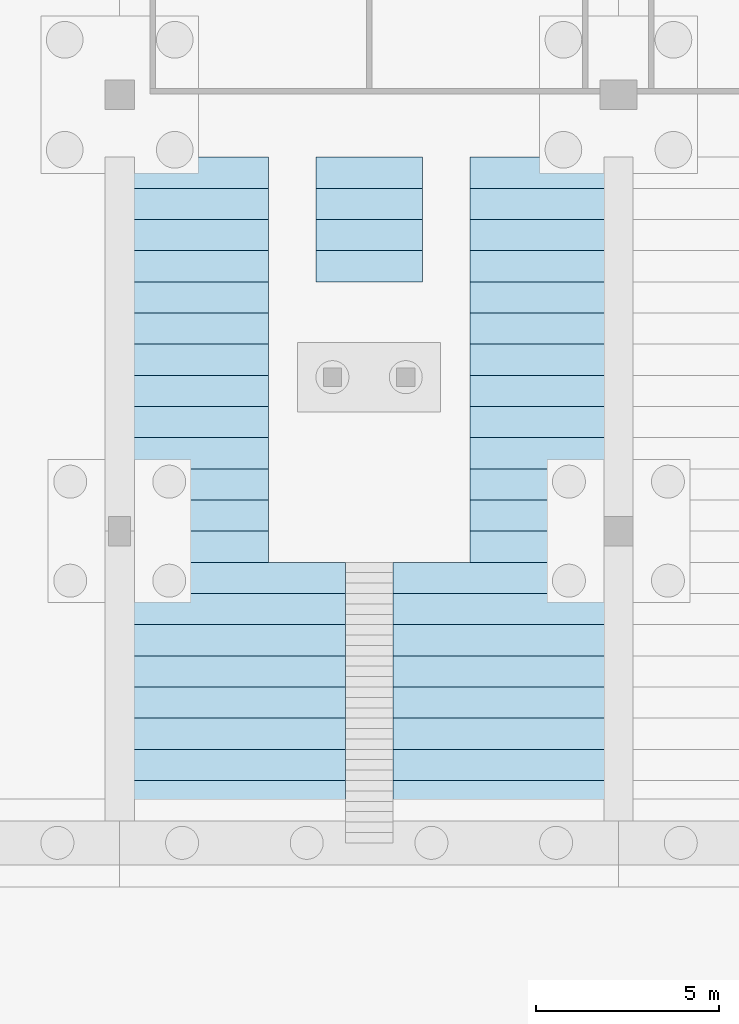
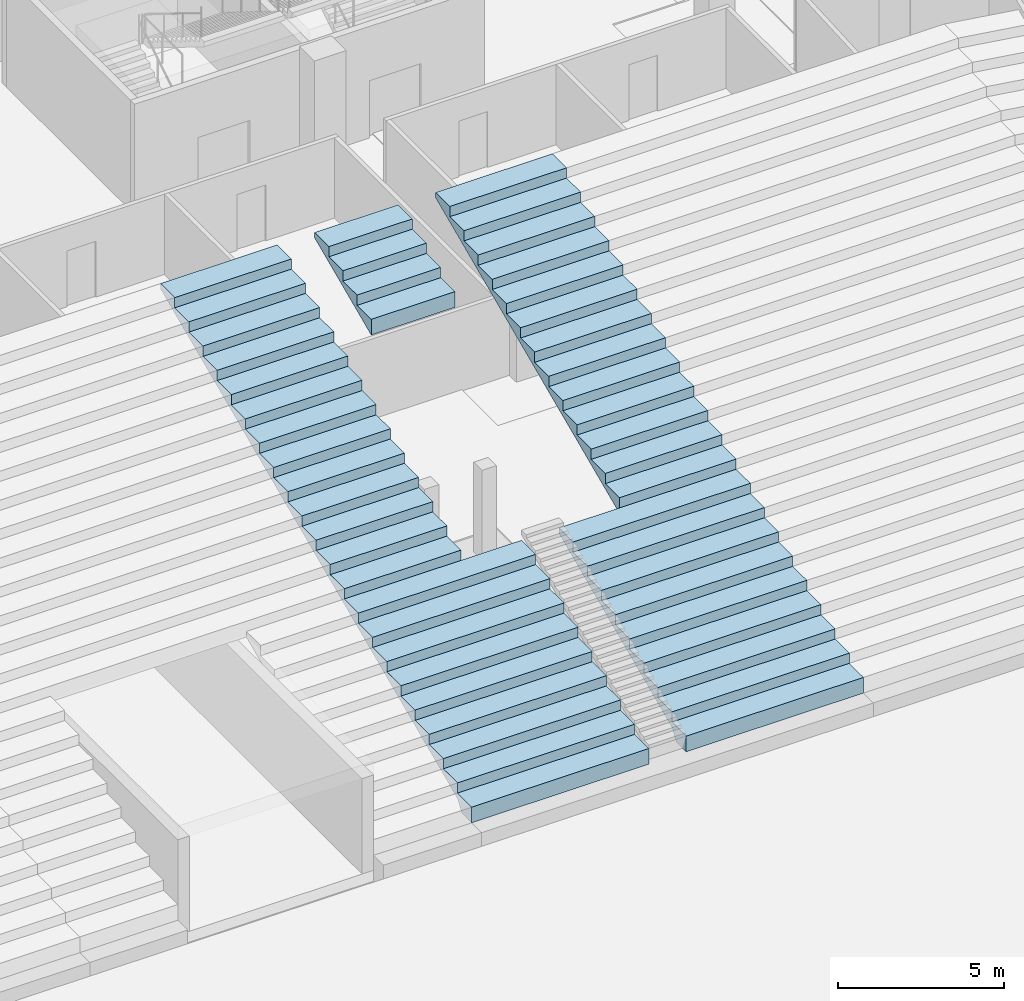
# One storey, part 57 of 115: 1 slab.
"""IFC4 building model written with IfcOpenShell, lengths in metres."""

from ifc_helpers import new_model, si_unit, direction, frame, origin, place, context, subcontext, project, spatial, faceted_brep, material, layer, layer_set, type_object, element, save


model = new_model("IFC4")

# Units and contexts
model_context = context("Model", 3, precision=1e-05, world=origin(), true_north=direction((0.0, 1.0)))
body_context = subcontext(model_context, "Body", "Model", "MODEL_VIEW")
ifc_project = project(units=[si_unit("LENGTHUNIT", "METRE"), si_unit("AREAUNIT", "SQUARE_METRE"), si_unit("VOLUMEUNIT", "CUBIC_METRE"), si_unit("PLANEANGLEUNIT", "RADIAN"), si_unit("MASSUNIT", "GRAM", prefix="KILO")], contexts=[model_context])

# Site, building, storey
site_placement = place(None, origin())
site = spatial("IfcSite", under=ifc_project, at=site_placement, CompositionType="ELEMENT")
building_placement = place(site_placement, origin())
building = spatial("IfcBuilding", under=site, at=building_placement, Name="Ogive Plaza Stadium", CompositionType="ELEMENT")
storey_placement = place(building_placement, frame((0.0, 0.0, -4.5)))
storey = spatial("IfcBuildingStorey", under=building, at=storey_placement, Name="B1", CompositionType="ELEMENT", Elevation=-4.5)

# Slab
ifc_material = material(Name="Concrete C45/55 precast", Category="concrete")
ifc_layer = layer(ifc_material, 0.574951171875)
ifc_layer_set = layer_set([ifc_layer], Name="Concrete C45/55 precast")
slab_type = type_object("IfcSlabType", Name="Seating tier LT 575", PredefinedType="USERDEFINED", material=ifc_layer_set)
slab_placement = place(storey_placement, origin())
element("IfcSlab", 1, at=slab_placement, inside=storey, type_object=slab_type, Name="Stand LT B35", ObjectType="SEATING TIER", PredefinedType="USERDEFINED", context=body_context, shape_type="Brep", body=[
    faceted_brep([(12.949951171875, 60.0, 1.125), (12.949951171875, 60.60009765625, 1.125), (6.800048828125, 60.60009765625, 1.125), (6.800048828125, 60.0, 1.125), (20.39990234375, 60.0, 1.125), (20.39990234375, 60.60009765625, 1.125), (14.25, 60.60009765625, 1.125), (14.25, 60.0, 1.125), (12.949951171875, 60.85009765625, 1.125), (6.800048828125, 60.85009765625, 1.125), (20.39990234375, 60.85009765625, 1.125), (14.25, 60.85009765625, 1.125), (12.949951171875, 60.60009765625, 0.550048828125), (6.800048828125, 60.0, 0.550048828125), (6.800048828125, 60.60009765625, 0.550048828125), (12.949951171875, 60.0, 0.550048828125), (20.39990234375, 60.60009765625, 0.550048828125), (14.25, 60.0, 0.550048828125), (14.25, 60.60009765625, 0.550048828125), (20.39990234375, 60.0, 0.550048828125), (6.800048828125, 60.85009765625, 0.925048828125), (6.800048828125, 60.85009765625, 1.5), (6.800048828125, 61.699951171875, 1.5), (6.800048828125, 61.699951171875, 1.300048828125), (6.800048828125, 61.699951171875, 1.875), (6.800048828125, 62.550048828125, 1.875), (6.800048828125, 62.550048828125, 1.675048828125), (6.800048828125, 62.550048828125, 2.25), (6.800048828125, 63.39990234375, 2.25), (6.800048828125, 63.39990234375, 2.050048828125), (6.800048828125, 63.39990234375, 2.625), (6.800048828125, 64.25, 2.625), (6.800048828125, 64.25, 2.425048828125), (6.800048828125, 64.25, 3.0), (6.800048828125, 65.10009765625, 3.0), (6.800048828125, 65.10009765625, 2.800048828125), (6.800048828125, 65.10009765625, 3.375), (6.800048828125, 65.949951171875, 3.375), (6.800048828125, 65.949951171875, 3.175048828125), (6.800048828125, 65.949951171875, 3.75), (6.800048828125, 66.800048828125, 3.75), (6.800048828125, 66.800048828125, 3.550048828125), (6.800048828125, 66.800048828125, 4.125), (6.800048828125, 67.64990234375, 4.125), (6.800048828125, 67.64990234375, 3.925048828125), (6.800048828125, 67.64990234375, 4.5), (6.800048828125, 68.5, 4.5), (6.800048828125, 68.5, 4.300048828125), (6.800048828125, 68.5, 4.875), (6.800048828125, 69.35009765625, 4.875), (6.800048828125, 69.35009765625, 4.675048828125), (6.800048828125, 69.35009765625, 5.25), (6.800048828125, 70.199951171875, 5.25), (6.800048828125, 70.199951171875, 5.050048828125), (6.800048828125, 70.199951171875, 5.625), (6.800048828125, 71.050048828125, 5.625), (6.800048828125, 71.050048828125, 5.425048828125), (6.800048828125, 71.050048828125, 6.0), (6.800048828125, 71.89990234375, 6.0), (6.800048828125, 71.89990234375, 5.800048828125), (6.800048828125, 71.89990234375, 6.375), (6.800048828125, 72.75, 6.375), (6.800048828125, 72.75, 6.175048828125), (6.800048828125, 72.75, 6.75), (6.800048828125, 73.60009765625, 6.75), (6.800048828125, 73.60009765625, 6.550048828125), (6.800048828125, 73.60009765625, 7.125), (6.800048828125, 74.449951171875, 7.125), (6.800048828125, 74.449951171875, 6.925048828125), (6.800048828125, 74.449951171875, 7.5), (6.800048828125, 75.300048828125, 7.5), (6.800048828125, 75.300048828125, 7.300048828125), (6.800048828125, 75.300048828125, 7.875), (6.800048828125, 76.14990234375, 7.875), (6.800048828125, 76.14990234375, 7.675048828125), (6.800048828125, 76.14990234375, 8.25), (6.800048828125, 77.0, 8.25), (6.800048828125, 77.0, 8.050048828125), (6.800048828125, 77.0, 8.625), (6.800048828125, 77.85009765625, 8.625), (6.800048828125, 77.85009765625, 8.425048828125), (6.800048828125, 77.85009765625, 9.0), (6.800048828125, 78.699951171875, 9.0), (6.800048828125, 78.699951171875, 8.800048828125), (12.949951171875, 60.85009765625, 0.925048828125), (12.949951171875, 61.699951171875, 1.5), (12.949951171875, 60.85009765625, 1.5), (12.949951171875, 61.699951171875, 1.300048828125), (12.949951171875, 62.550048828125, 1.875), (12.949951171875, 61.699951171875, 1.875), (12.949951171875, 62.550048828125, 1.675048828125), (12.949951171875, 63.39990234375, 2.25), (12.949951171875, 62.550048828125, 2.25), (12.949951171875, 63.39990234375, 2.050048828125), (12.949951171875, 64.25, 2.625), (12.949951171875, 63.39990234375, 2.625), (12.949951171875, 64.25, 2.425048828125), (12.949951171875, 65.10009765625, 3.0), (12.949951171875, 64.25, 3.0), (12.949951171875, 65.10009765625, 2.800048828125), (12.949951171875, 65.949951171875, 3.375), (12.949951171875, 65.10009765625, 3.375), (12.949951171875, 65.949951171875, 3.175048828125), (12.949951171875, 66.800048828125, 3.75), (12.949951171875, 65.949951171875, 3.75), (12.949951171875, 66.800048828125, 3.550048828125), (12.949951171875, 67.64990234375, 4.125), (12.949951171875, 66.800048828125, 4.125), (12.949951171875, 67.64990234375, 3.925048828125), (14.25, 60.85009765625, 0.925048828125), (14.25, 60.85009765625, 1.5), (14.25, 61.699951171875, 1.5), (14.25, 61.699951171875, 1.300048828125), (14.25, 61.699951171875, 1.875), (14.25, 62.550048828125, 1.875), (14.25, 62.550048828125, 1.675048828125), (14.25, 62.550048828125, 2.25), (14.25, 63.39990234375, 2.25), (14.25, 63.39990234375, 2.050048828125), (14.25, 63.39990234375, 2.625), (14.25, 64.25, 2.625), (14.25, 64.25, 2.425048828125), (14.25, 64.25, 3.0), (14.25, 65.10009765625, 3.0), (14.25, 65.10009765625, 2.800048828125), (14.25, 65.10009765625, 3.375), (14.25, 65.949951171875, 3.375), (14.25, 65.949951171875, 3.175048828125), (14.25, 65.949951171875, 3.75), (14.25, 66.800048828125, 3.75), (14.25, 66.800048828125, 3.550048828125), (14.25, 66.800048828125, 4.125), (14.25, 67.64990234375, 4.125), (14.25, 67.64990234375, 3.925048828125), (20.39990234375, 60.85009765625, 0.925048828125), (20.39990234375, 61.699951171875, 1.5), (20.39990234375, 60.85009765625, 1.5), (20.39990234375, 61.699951171875, 1.300048828125), (20.39990234375, 62.550048828125, 1.875), (20.39990234375, 61.699951171875, 1.875), (20.39990234375, 62.550048828125, 1.675048828125), (20.39990234375, 63.39990234375, 2.25), (20.39990234375, 62.550048828125, 2.25), (20.39990234375, 63.39990234375, 2.050048828125), (20.39990234375, 64.25, 2.625), (20.39990234375, 63.39990234375, 2.625), (20.39990234375, 64.25, 2.425048828125), (20.39990234375, 65.10009765625, 3.0), (20.39990234375, 64.25, 3.0), (20.39990234375, 65.10009765625, 2.800048828125), (20.39990234375, 65.949951171875, 3.375), (20.39990234375, 65.10009765625, 3.375), (20.39990234375, 65.949951171875, 3.175048828125), (20.39990234375, 66.800048828125, 3.75), (20.39990234375, 65.949951171875, 3.75), (20.39990234375, 66.800048828125, 3.550048828125), (20.39990234375, 67.64990234375, 4.125), (20.39990234375, 66.800048828125, 4.125), (20.39990234375, 67.64990234375, 3.925048828125), (20.39990234375, 68.5, 4.5), (20.39990234375, 67.64990234375, 4.5), (20.39990234375, 68.5, 4.300048828125), (20.39990234375, 69.35009765625, 4.875), (20.39990234375, 68.5, 4.875), (20.39990234375, 69.35009765625, 4.675048828125), (20.39990234375, 70.199951171875, 5.25), (20.39990234375, 69.35009765625, 5.25), (20.39990234375, 70.199951171875, 5.050048828125), (20.39990234375, 71.050048828125, 5.625), (20.39990234375, 70.199951171875, 5.625), (20.39990234375, 71.050048828125, 5.425048828125), (20.39990234375, 71.89990234375, 6.0), (20.39990234375, 71.050048828125, 6.0), (20.39990234375, 71.89990234375, 5.800048828125), (20.39990234375, 72.75, 6.375), (20.39990234375, 71.89990234375, 6.375), (20.39990234375, 72.75, 6.175048828125), (20.39990234375, 73.60009765625, 6.75), (20.39990234375, 72.75, 6.75), (20.39990234375, 73.60009765625, 6.550048828125), (20.39990234375, 74.449951171875, 7.125), (20.39990234375, 73.60009765625, 7.125), (20.39990234375, 74.449951171875, 6.925048828125), (20.39990234375, 75.300048828125, 7.5), (20.39990234375, 74.449951171875, 7.5), (20.39990234375, 75.300048828125, 7.300048828125), (20.39990234375, 76.14990234375, 7.875), (20.39990234375, 75.300048828125, 7.875), (20.39990234375, 76.14990234375, 7.675048828125), (20.39990234375, 77.0, 8.25), (20.39990234375, 76.14990234375, 8.25), (20.39990234375, 77.0, 8.050048828125), (20.39990234375, 77.85009765625, 8.625), (20.39990234375, 77.0, 8.625), (20.39990234375, 77.85009765625, 8.425048828125), (20.39990234375, 78.699951171875, 9.0), (20.39990234375, 77.85009765625, 9.0), (20.39990234375, 78.699951171875, 8.800048828125), (10.85009765625, 67.64990234375, 3.925048828125), (16.35009765625, 67.64990234375, 3.925048828125), (10.85009765625, 68.5, 4.300048828125), (16.35009765625, 68.5, 4.300048828125), (10.85009765625, 69.35009765625, 4.675048828125), (16.35009765625, 69.35009765625, 4.675048828125), (10.85009765625, 70.199951171875, 5.050048828125), (16.35009765625, 70.199951171875, 5.050048828125), (10.85009765625, 71.050048828125, 5.425048828125), (16.35009765625, 71.050048828125, 5.425048828125), (10.85009765625, 71.89990234375, 5.800048828125), (16.35009765625, 71.89990234375, 5.800048828125), (10.85009765625, 72.75, 6.175048828125), (16.35009765625, 72.75, 6.175048828125), (10.85009765625, 73.60009765625, 6.550048828125), (16.35009765625, 73.60009765625, 6.550048828125), (10.85009765625, 74.449951171875, 6.925048828125), (16.35009765625, 74.449951171875, 6.925048828125), (10.85009765625, 75.300048828125, 7.300048828125), (16.35009765625, 75.300048828125, 7.300048828125), (10.85009765625, 76.14990234375, 7.675048828125), (15.050048828125, 76.14990234375, 7.675048828125), (12.14990234375, 75.300048828125, 7.300048828125), (12.14990234375, 76.14990234375, 7.675048828125), (15.050048828125, 75.300048828125, 7.300048828125), (16.35009765625, 76.14990234375, 7.675048828125), (10.85009765625, 67.64990234375, 4.125), (16.35009765625, 67.64990234375, 4.125), (10.85009765625, 67.64990234375, 4.5), (16.35009765625, 67.64990234375, 4.5), (10.85009765625, 68.5, 4.5), (16.35009765625, 68.5, 4.5), (10.85009765625, 68.5, 4.875), (16.35009765625, 68.5, 4.875), (10.85009765625, 69.35009765625, 4.875), (10.85009765625, 70.199951171875, 5.25), (10.85009765625, 69.35009765625, 5.25), (10.85009765625, 71.050048828125, 5.625), (10.85009765625, 70.199951171875, 5.625), (10.85009765625, 71.89990234375, 6.0), (10.85009765625, 71.050048828125, 6.0), (10.85009765625, 72.75, 6.375), (10.85009765625, 71.89990234375, 6.375), (10.85009765625, 73.60009765625, 6.75), (10.85009765625, 72.75, 6.75), (10.85009765625, 74.449951171875, 7.125), (10.85009765625, 73.60009765625, 7.125), (10.85009765625, 75.300048828125, 7.5), (10.85009765625, 74.449951171875, 7.5), (10.85009765625, 76.14990234375, 7.875), (10.85009765625, 75.300048828125, 7.875), (10.85009765625, 77.0, 8.25), (10.85009765625, 76.14990234375, 8.25), (10.85009765625, 77.0, 8.050048828125), (10.85009765625, 77.85009765625, 8.625), (10.85009765625, 77.0, 8.625), (10.85009765625, 77.85009765625, 8.425048828125), (10.85009765625, 78.699951171875, 9.0), (10.85009765625, 77.85009765625, 9.0), (10.85009765625, 78.699951171875, 8.800048828125), (16.35009765625, 69.35009765625, 4.875), (16.35009765625, 69.35009765625, 5.25), (16.35009765625, 70.199951171875, 5.25), (16.35009765625, 70.199951171875, 5.625), (16.35009765625, 71.050048828125, 5.625), (16.35009765625, 71.050048828125, 6.0), (16.35009765625, 71.89990234375, 6.0), (16.35009765625, 71.89990234375, 6.375), (16.35009765625, 72.75, 6.375), (16.35009765625, 72.75, 6.75), (16.35009765625, 73.60009765625, 6.75), (16.35009765625, 73.60009765625, 7.125), (16.35009765625, 74.449951171875, 7.125), (16.35009765625, 74.449951171875, 7.5), (16.35009765625, 75.300048828125, 7.5), (16.35009765625, 75.300048828125, 7.875), (16.35009765625, 76.14990234375, 7.875), (16.35009765625, 76.14990234375, 8.25), (16.35009765625, 77.0, 8.25), (16.35009765625, 77.0, 8.050048828125), (16.35009765625, 77.0, 8.625), (16.35009765625, 77.85009765625, 8.625), (16.35009765625, 77.85009765625, 8.425048828125), (16.35009765625, 77.85009765625, 9.0), (16.35009765625, 78.699951171875, 9.0), (16.35009765625, 78.699951171875, 8.800048828125), (12.14990234375, 75.300048828125, 7.875), (15.050048828125, 75.300048828125, 7.875), (15.050048828125, 76.14990234375, 7.875), (12.14990234375, 76.14990234375, 7.875), (15.050048828125, 76.14990234375, 8.25), (12.14990234375, 76.14990234375, 8.25), (12.14990234375, 77.0, 8.25), (12.14990234375, 77.0, 8.050048828125), (12.14990234375, 77.0, 8.625), (12.14990234375, 77.85009765625, 8.625), (12.14990234375, 77.85009765625, 8.425048828125), (12.14990234375, 77.85009765625, 9.0), (12.14990234375, 78.699951171875, 9.0), (12.14990234375, 78.699951171875, 8.800048828125), (15.050048828125, 77.0, 8.25), (15.050048828125, 77.0, 8.050048828125), (15.050048828125, 77.85009765625, 8.625), (15.050048828125, 77.0, 8.625), (15.050048828125, 77.85009765625, 8.425048828125), (15.050048828125, 78.699951171875, 9.0), (15.050048828125, 77.85009765625, 9.0), (15.050048828125, 78.699951171875, 8.800048828125)], [[[0, 1, 2]], [[2, 3, 0]], [[4, 5, 6]], [[6, 7, 4]], [[1, 8, 9]], [[9, 2, 1]], [[5, 10, 11]], [[11, 6, 5]], [[12, 13, 14]], [[12, 15, 13]], [[16, 17, 18]], [[16, 19, 17]], [[2, 14, 13]], [[13, 3, 2]], [[20, 14, 2]], [[20, 2, 9]], [[9, 21, 22]], [[22, 23, 20]], [[20, 9, 22]], [[22, 24, 25]], [[25, 26, 23]], [[23, 22, 25]], [[25, 27, 28]], [[28, 29, 26]], [[26, 25, 28]], [[28, 30, 31]], [[31, 32, 29]], [[29, 28, 31]], [[31, 33, 34]], [[34, 35, 32]], [[32, 31, 34]], [[34, 36, 37]], [[37, 38, 35]], [[35, 34, 37]], [[37, 39, 40]], [[40, 41, 38]], [[38, 37, 40]], [[40, 42, 43]], [[43, 44, 41]], [[41, 40, 43]], [[43, 45, 46]], [[46, 47, 44]], [[44, 43, 46]], [[46, 48, 49]], [[49, 50, 47]], [[47, 46, 49]], [[49, 51, 52]], [[52, 53, 50]], [[50, 49, 52]], [[52, 54, 55]], [[55, 56, 53]], [[53, 52, 55]], [[55, 57, 58]], [[58, 59, 56]], [[56, 55, 58]], [[58, 60, 61]], [[61, 62, 59]], [[59, 58, 61]], [[61, 63, 64]], [[64, 65, 62]], [[62, 61, 64]], [[64, 66, 67]], [[67, 68, 65]], [[65, 64, 67]], [[67, 69, 70]], [[70, 71, 68]], [[68, 67, 70]], [[70, 72, 73]], [[73, 74, 71]], [[71, 70, 73]], [[73, 75, 76]], [[76, 77, 74]], [[74, 73, 76]], [[76, 78, 79]], [[79, 80, 77]], [[77, 76, 79]], [[79, 81, 82]], [[82, 83, 80]], [[80, 79, 82]], [[3, 13, 15]], [[15, 0, 3]], [[7, 17, 19]], [[19, 4, 7]], [[0, 15, 12]], [[12, 1, 0]], [[1, 12, 84]], [[84, 8, 1]], [[85, 86, 8]], [[8, 84, 87]], [[87, 85, 8]], [[88, 89, 85]], [[85, 87, 90]], [[90, 88, 85]], [[91, 92, 88]], [[88, 90, 93]], [[93, 91, 88]], [[94, 95, 91]], [[91, 93, 96]], [[96, 94, 91]], [[97, 98, 94]], [[94, 96, 99]], [[99, 97, 94]], [[100, 101, 97]], [[97, 99, 102]], [[102, 100, 97]], [[103, 104, 100]], [[100, 102, 105]], [[105, 103, 100]], [[106, 107, 103]], [[103, 105, 108]], [[108, 106, 103]], [[6, 18, 17]], [[17, 7, 6]], [[109, 18, 6]], [[109, 6, 11]], [[11, 110, 111]], [[111, 112, 109]], [[109, 11, 111]], [[111, 113, 114]], [[114, 115, 112]], [[112, 111, 114]], [[114, 116, 117]], [[117, 118, 115]], [[115, 114, 117]], [[117, 119, 120]], [[120, 121, 118]], [[118, 117, 120]], [[120, 122, 123]], [[123, 124, 121]], [[121, 120, 123]], [[123, 125, 126]], [[126, 127, 124]], [[124, 123, 126]], [[126, 128, 129]], [[129, 130, 127]], [[127, 126, 129]], [[129, 131, 132]], [[132, 133, 130]], [[130, 129, 132]], [[4, 19, 16]], [[16, 5, 4]], [[5, 16, 134]], [[134, 10, 5]], [[135, 136, 10]], [[10, 134, 137]], [[137, 135, 10]], [[138, 139, 135]], [[135, 137, 140]], [[140, 138, 135]], [[141, 142, 138]], [[138, 140, 143]], [[143, 141, 138]], [[144, 145, 141]], [[141, 143, 146]], [[146, 144, 141]], [[147, 148, 144]], [[144, 146, 149]], [[149, 147, 144]], [[150, 151, 147]], [[147, 149, 152]], [[152, 150, 147]], [[153, 154, 150]], [[150, 152, 155]], [[155, 153, 150]], [[156, 157, 153]], [[153, 155, 158]], [[158, 156, 153]], [[159, 160, 156]], [[156, 158, 161]], [[161, 159, 156]], [[162, 163, 159]], [[159, 161, 164]], [[164, 162, 159]], [[165, 166, 162]], [[162, 164, 167]], [[167, 165, 162]], [[168, 169, 165]], [[165, 167, 170]], [[170, 168, 165]], [[171, 172, 168]], [[168, 170, 173]], [[173, 171, 168]], [[174, 175, 171]], [[171, 173, 176]], [[176, 174, 171]], [[177, 178, 174]], [[174, 176, 179]], [[179, 177, 174]], [[180, 181, 177]], [[177, 179, 182]], [[182, 180, 177]], [[183, 184, 180]], [[180, 182, 185]], [[185, 183, 180]], [[186, 187, 183]], [[183, 185, 188]], [[188, 186, 183]], [[189, 190, 186]], [[186, 188, 191]], [[191, 189, 186]], [[192, 193, 189]], [[189, 191, 194]], [[194, 192, 189]], [[195, 196, 192]], [[192, 194, 197]], [[197, 195, 192]], [[84, 14, 20]], [[84, 12, 14]], [[134, 18, 109]], [[134, 16, 18]], [[8, 86, 21]], [[21, 9, 8]], [[10, 136, 110]], [[110, 11, 10]], [[86, 85, 22]], [[22, 21, 86]], [[136, 135, 111]], [[111, 110, 136]], [[87, 20, 23]], [[87, 84, 20]], [[137, 109, 112]], [[137, 134, 109]], [[90, 23, 26]], [[90, 87, 23]], [[140, 112, 115]], [[140, 137, 112]], [[93, 26, 29]], [[93, 90, 26]], [[143, 115, 118]], [[143, 140, 115]], [[96, 29, 32]], [[96, 93, 29]], [[146, 118, 121]], [[146, 143, 118]], [[99, 32, 35]], [[99, 96, 32]], [[149, 121, 124]], [[149, 146, 121]], [[102, 35, 38]], [[102, 99, 35]], [[152, 124, 127]], [[152, 149, 124]], [[105, 38, 41]], [[105, 102, 38]], [[155, 127, 130]], [[155, 152, 127]], [[41, 44, 198]], [[108, 41, 198]], [[108, 105, 41]], [[199, 158, 130]], [[130, 133, 199]], [[158, 155, 130]], [[200, 44, 47]], [[200, 198, 44]], [[161, 199, 201]], [[161, 158, 199]], [[202, 47, 50]], [[202, 200, 47]], [[164, 201, 203]], [[164, 161, 201]], [[204, 50, 53]], [[204, 202, 50]], [[167, 203, 205]], [[167, 164, 203]], [[206, 53, 56]], [[206, 204, 53]], [[170, 205, 207]], [[170, 167, 205]], [[208, 56, 59]], [[208, 206, 56]], [[173, 207, 209]], [[173, 170, 207]], [[210, 59, 62]], [[210, 208, 59]], [[176, 209, 211]], [[176, 173, 209]], [[212, 62, 65]], [[212, 210, 62]], [[179, 211, 213]], [[179, 176, 211]], [[214, 65, 68]], [[214, 212, 65]], [[182, 213, 215]], [[182, 179, 213]], [[216, 68, 71]], [[216, 214, 68]], [[185, 215, 217]], [[185, 182, 215]], [[218, 71, 74]], [[218, 216, 71]], [[219, 220, 221]], [[219, 222, 220]], [[188, 217, 223]], [[188, 185, 217]], [[85, 89, 24]], [[24, 22, 85]], [[135, 139, 113]], [[113, 111, 135]], [[89, 88, 25]], [[25, 24, 89]], [[139, 138, 114]], [[114, 113, 139]], [[88, 92, 27]], [[27, 25, 88]], [[138, 142, 116]], [[116, 114, 138]], [[92, 91, 28]], [[28, 27, 92]], [[142, 141, 117]], [[117, 116, 142]], [[91, 95, 30]], [[30, 28, 91]], [[141, 145, 119]], [[119, 117, 141]], [[95, 94, 31]], [[31, 30, 95]], [[145, 144, 120]], [[120, 119, 145]], [[94, 98, 33]], [[33, 31, 94]], [[144, 148, 122]], [[122, 120, 144]], [[98, 97, 34]], [[34, 33, 98]], [[148, 147, 123]], [[123, 122, 148]], [[97, 101, 36]], [[36, 34, 97]], [[147, 151, 125]], [[125, 123, 147]], [[101, 100, 37]], [[37, 36, 101]], [[151, 150, 126]], [[126, 125, 151]], [[100, 104, 39]], [[39, 37, 100]], [[150, 154, 128]], [[128, 126, 150]], [[104, 103, 40]], [[40, 39, 104]], [[154, 153, 129]], [[129, 128, 154]], [[103, 107, 42]], [[42, 40, 103]], [[153, 157, 131]], [[131, 129, 153]], [[43, 42, 107]], [[224, 43, 107]], [[106, 224, 107]], [[132, 131, 157]], [[157, 156, 225]], [[225, 132, 157]], [[198, 224, 106]], [[108, 198, 106]], [[225, 199, 133]], [[225, 133, 132]], [[224, 226, 45]], [[45, 43, 224]], [[227, 225, 156]], [[160, 227, 156]], [[226, 228, 46]], [[46, 45, 226]], [[160, 159, 229]], [[229, 227, 160]], [[228, 230, 48]], [[48, 46, 228]], [[159, 163, 231]], [[231, 229, 159]], [[228, 226, 224]], [[224, 198, 200]], [[200, 228, 224]], [[232, 230, 228]], [[228, 200, 202]], [[202, 232, 228]], [[233, 234, 232]], [[232, 202, 204]], [[204, 233, 232]], [[235, 236, 233]], [[233, 204, 206]], [[206, 235, 233]], [[237, 238, 235]], [[235, 206, 208]], [[208, 237, 235]], [[239, 240, 237]], [[237, 208, 210]], [[210, 239, 237]], [[241, 242, 239]], [[239, 210, 212]], [[212, 241, 239]], [[243, 244, 241]], [[241, 212, 214]], [[214, 243, 241]], [[245, 246, 243]], [[243, 214, 216]], [[216, 245, 243]], [[247, 248, 245]], [[245, 216, 218]], [[218, 247, 245]], [[249, 250, 247]], [[247, 218, 251]], [[251, 249, 247]], [[252, 253, 249]], [[249, 251, 254]], [[254, 252, 249]], [[255, 256, 252]], [[252, 254, 257]], [[257, 255, 252]], [[225, 227, 229]], [[229, 201, 199]], [[199, 225, 229]], [[229, 231, 258]], [[258, 203, 201]], [[201, 229, 258]], [[258, 259, 260]], [[260, 205, 203]], [[203, 258, 260]], [[260, 261, 262]], [[262, 207, 205]], [[205, 260, 262]], [[262, 263, 264]], [[264, 209, 207]], [[207, 262, 264]], [[264, 265, 266]], [[266, 211, 209]], [[209, 264, 266]], [[266, 267, 268]], [[268, 213, 211]], [[211, 266, 268]], [[268, 269, 270]], [[270, 215, 213]], [[213, 268, 270]], [[270, 271, 272]], [[272, 217, 215]], [[215, 270, 272]], [[272, 273, 274]], [[274, 223, 217]], [[217, 272, 274]], [[274, 275, 276]], [[276, 277, 223]], [[223, 274, 276]], [[276, 278, 279]], [[279, 280, 277]], [[277, 276, 279]], [[279, 281, 282]], [[282, 283, 280]], [[280, 279, 282]], [[230, 232, 49]], [[49, 48, 230]], [[163, 162, 258]], [[258, 231, 163]], [[232, 234, 51]], [[51, 49, 232]], [[162, 166, 259]], [[259, 258, 162]], [[234, 233, 52]], [[52, 51, 234]], [[166, 165, 260]], [[260, 259, 166]], [[233, 236, 54]], [[54, 52, 233]], [[165, 169, 261]], [[261, 260, 165]], [[236, 235, 55]], [[55, 54, 236]], [[169, 168, 262]], [[262, 261, 169]], [[235, 238, 57]], [[57, 55, 235]], [[168, 172, 263]], [[263, 262, 168]], [[238, 237, 58]], [[58, 57, 238]], [[172, 171, 264]], [[264, 263, 172]], [[237, 240, 60]], [[60, 58, 237]], [[171, 175, 265]], [[265, 264, 171]], [[240, 239, 61]], [[61, 60, 240]], [[175, 174, 266]], [[266, 265, 175]], [[239, 242, 63]], [[63, 61, 239]], [[174, 178, 267]], [[267, 266, 174]], [[242, 241, 64]], [[64, 63, 242]], [[178, 177, 268]], [[268, 267, 178]], [[241, 244, 66]], [[66, 64, 241]], [[177, 181, 269]], [[269, 268, 177]], [[244, 243, 67]], [[67, 66, 244]], [[181, 180, 270]], [[270, 269, 181]], [[243, 246, 69]], [[69, 67, 243]], [[180, 184, 271]], [[271, 270, 180]], [[246, 245, 70]], [[70, 69, 246]], [[184, 183, 272]], [[272, 271, 184]], [[245, 248, 72]], [[72, 70, 245]], [[284, 220, 222]], [[222, 285, 284]], [[183, 187, 273]], [[273, 272, 183]], [[248, 247, 73]], [[73, 72, 248]], [[285, 286, 287]], [[287, 284, 285]], [[187, 186, 274]], [[274, 273, 187]], [[247, 250, 75]], [[75, 73, 247]], [[286, 288, 289]], [[289, 287, 286]], [[186, 190, 275]], [[275, 274, 186]], [[221, 220, 284]], [[221, 284, 287]], [[287, 289, 290]], [[290, 291, 221]], [[221, 287, 290]], [[290, 292, 293]], [[293, 294, 291]], [[291, 290, 293]], [[293, 295, 296]], [[296, 297, 294]], [[294, 293, 296]], [[285, 222, 219]], [[219, 286, 285]], [[298, 288, 286]], [[286, 219, 299]], [[299, 298, 286]], [[300, 301, 298]], [[298, 299, 302]], [[302, 300, 298]], [[303, 304, 300]], [[300, 302, 305]], [[305, 303, 300]], [[250, 249, 76]], [[76, 75, 250]], [[288, 298, 290]], [[290, 289, 288]], [[190, 189, 276]], [[276, 275, 190]], [[251, 74, 77]], [[251, 218, 74]], [[299, 221, 291]], [[299, 219, 221]], [[191, 223, 277]], [[191, 188, 223]], [[254, 77, 80]], [[254, 251, 77]], [[302, 291, 294]], [[302, 299, 291]], [[194, 277, 280]], [[194, 191, 277]], [[257, 80, 83]], [[257, 254, 80]], [[305, 294, 297]], [[305, 302, 294]], [[197, 280, 283]], [[197, 194, 280]], [[249, 253, 78]], [[78, 76, 249]], [[298, 301, 292]], [[292, 290, 298]], [[189, 193, 278]], [[278, 276, 189]], [[253, 252, 79]], [[79, 78, 253]], [[301, 300, 293]], [[293, 292, 301]], [[193, 192, 279]], [[279, 278, 193]], [[252, 256, 81]], [[81, 79, 252]], [[300, 304, 295]], [[295, 293, 300]], [[192, 196, 281]], [[281, 279, 192]], [[256, 255, 82]], [[82, 81, 256]], [[304, 303, 296]], [[296, 295, 304]], [[196, 195, 282]], [[282, 281, 196]], [[255, 257, 83]], [[83, 82, 255]], [[303, 305, 297]], [[297, 296, 303]], [[195, 197, 283]], [[283, 282, 195]]]),
])

save(model, "model.ifc")
